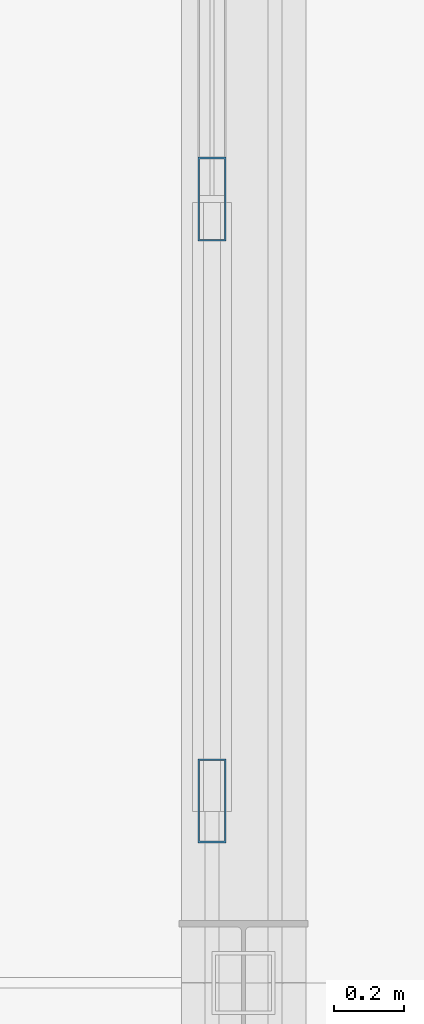
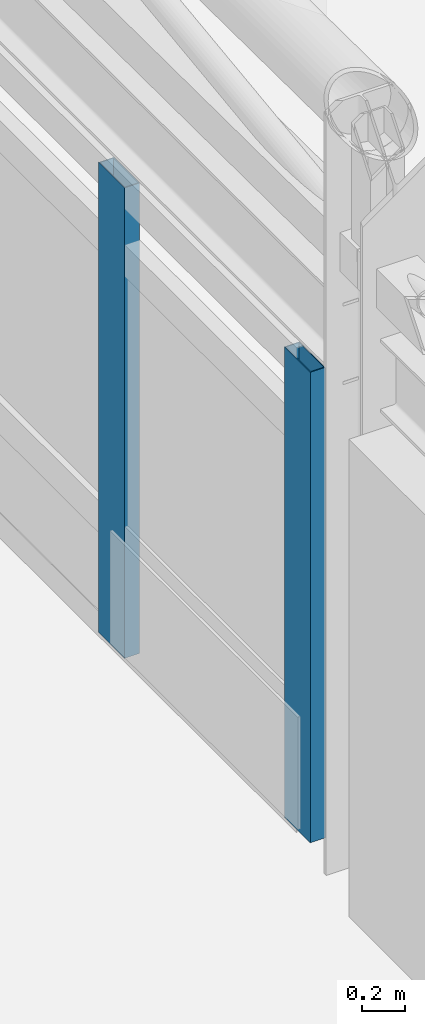
# One storey, part 49 of 168: 2 members, 1 element without a shape of its own.
"""IFC4 building model written with IfcOpenShell, lengths in metres."""

import ifcopenshell
import ifcopenshell.guid

model = None  # the IFC model being written
_history = None  # IfcOwnerHistory: only IFC2X3 demands one
_inside = {}  # id of a spatial element -> (the spatial element, [elements in it])
_under = {}  # id of a project, library or spatial element -> (it, [spatial elements below it])
_declared = {}  # id of a project -> (the project, [libraries it declares])
_typed = {}  # id of a type object -> (the type object, [elements of that type])
_made_of = {}  # id of a material, layer set ... -> (it, [elements and type objects made of it])


def new_model(schema):
    """Start an empty IFC model of exactly this schema.

    Asked for "IFC4X3", IfcOpenShell would pick the latest addendum, in which some entities
    have other attributes; the version numbers below select the first issue.
    IFC2X3 requires an IfcOwnerHistory on every rooted entity: one is made here for all.
    """
    global model, _history
    if schema == "IFC4X3":
        model = ifcopenshell.file(schema_version=(4, 3, 0, 0))
    else:
        model = ifcopenshell.file(schema=schema)
    _inside.clear()
    _under.clear()
    _declared.clear()
    _typed.clear()
    _made_of.clear()
    _history = None
    if model.schema == "IFC2X3":
        org = make("IfcOrganization", Name="unknown")
        user = make(
            "IfcPersonAndOrganization",
            ThePerson=make("IfcPerson", FamilyName="unknown"),
            TheOrganization=org,
        )
        app = make(
            "IfcApplication",
            ApplicationDeveloper=org,
            Version="unknown",
            ApplicationFullName="unknown",
            ApplicationIdentifier="unknown",
        )
        _history = make(
            "IfcOwnerHistory",
            OwningUser=user,
            OwningApplication=app,
            ChangeAction="ADDED",
            CreationDate=0,
        )
    return model


def make(cls, **values):
    """One entity of the class cls with the attributes given. An attribute that is None is left unset."""
    return model.create_entity(
        cls, **{name: value for name, value in values.items() if value is not None}
    )


def rooted(cls, **values):
    """An entity with a GlobalId (a new one), such as an element, a storey or a relation."""
    return make(cls, GlobalId=ifcopenshell.guid.new(), OwnerHistory=_history, **values)


def si_unit(unit_type, name, prefix=None):
    """IfcSIUnit, for example si_unit("LENGTHUNIT", "METRE", prefix="MILLI")."""
    return make("IfcSIUnit", UnitType=unit_type, Prefix=prefix, Name=name)


def assignment(units):
    """IfcUnitAssignment: the units of a project."""
    return None if units is None else make("IfcUnitAssignment", Units=units)


def point(xyz):
    """IfcCartesianPoint."""
    return None if xyz is None else make("IfcCartesianPoint", Coordinates=xyz)


def direction(xyz):
    """IfcDirection."""
    return None if xyz is None else make("IfcDirection", DirectionRatios=xyz)


def frame(location, z_axis=None, x_axis=None):
    """IfcAxis2Placement3D, a coordinate frame: its origin and axes. An axis left out is left unset."""
    return make(
        "IfcAxis2Placement3D",
        Location=point(location),
        Axis=direction(z_axis),
        RefDirection=direction(x_axis),
    )


def frame_2d(location, x_axis=None):
    """IfcAxis2Placement2D, a coordinate frame in the plane: its origin and x axis."""
    return make(
        "IfcAxis2Placement2D", Location=point(location), RefDirection=direction(x_axis)
    )


def origin():
    """The frame at (0, 0, 0) with its axes left unset."""
    return frame((0.0, 0.0, 0.0))


def origin_2d():
    """The frame at (0, 0) in the plane with its x axis left unset."""
    return frame_2d((0.0, 0.0))


def place(relative_to, where):
    """IfcLocalPlacement: puts the frame where relative to a parent placement (None: the world)."""
    return make(
        "IfcLocalPlacement", PlacementRelTo=relative_to, RelativePlacement=where
    )


def context(
    kind, dimensions, precision=None, world=None, true_north=None, identifier=None
):
    """IfcGeometricRepresentationContext, for example the 3D "Model" context."""
    return make(
        "IfcGeometricRepresentationContext",
        ContextIdentifier=identifier,
        ContextType=kind,
        CoordinateSpaceDimension=dimensions,
        Precision=precision,
        WorldCoordinateSystem=world,
        TrueNorth=true_north,
    )


def subcontext(parent, identifier, kind, view, scale=None):
    """IfcGeometricRepresentationSubContext, for example "Body" below "Model"."""
    return make(
        "IfcGeometricRepresentationSubContext",
        ContextIdentifier=identifier,
        ContextType=kind,
        ParentContext=parent,
        TargetScale=scale,
        TargetView=view,
    )


def project(units=None, contexts=None):
    """IfcProject with its units and contexts."""
    return rooted(
        "IfcProject",
        Name="project",
        RepresentationContexts=contexts,
        UnitsInContext=assignment(units),
    )


def spatial(cls, under=None, at=None, **own):
    """A site, building, storey or space (cls), placed at a placement, below another one or the project."""
    s = rooted(cls, ObjectPlacement=at, **own)
    if under is not None:
        _under.setdefault(under.id(), (under, []))[1].append(s)
    return s


def profile(cls, at=None, kind="AREA", **sizes):
    """A parametric profile (cls). Its sizes go by their IFC names, for example OverallWidth=200.0."""
    return make(cls, ProfileType=kind, Position=at, **sizes)


def hollow_rectangle(**sizes):
    """IfcRectangleHollowProfileDef."""
    return profile("IfcRectangleHollowProfileDef", **sizes)


def extrude(swept, where, along, depth):
    """IfcExtrudedAreaSolid: the profile swept, set in the frame where, extruded along a direction by depth."""
    return make(
        "IfcExtrudedAreaSolid",
        SweptArea=swept,
        Position=where,
        ExtrudedDirection=direction(along),
        Depth=depth,
    )


def shape(context_of_items, identifier, shape_type, items):
    """IfcShapeRepresentation: the items that make up one representation, for example the "Body"."""
    return make(
        "IfcShapeRepresentation",
        ContextOfItems=context_of_items,
        RepresentationIdentifier=identifier,
        RepresentationType=shape_type,
        Items=items,
    )


def material(Name=None, Category=None):
    """IfcMaterial."""
    return make("IfcMaterial", Name=Name, Category=Category)


def material_profile(
    of_material, cross_section, Name=None, Category=None, Priority=None
):
    """IfcMaterialProfile: a cross section and its material."""
    return make(
        "IfcMaterialProfile",
        Name=Name,
        Material=of_material,
        Profile=cross_section,
        Priority=Priority,
        Category=Category,
    )


def profile_set(profiles, Name=None, composite=None):
    """IfcMaterialProfileSet."""
    return make(
        "IfcMaterialProfileSet",
        Name=Name,
        MaterialProfiles=profiles,
        CompositeProfile=composite,
    )


def made_of(thing, what):
    """Note that an element or type object is made of a material, layer set ...; save() writes the relation."""
    if what is not None:
        _made_of.setdefault(what.id(), (what, []))[1].append(thing)
    return thing


def type_object(cls, material=None, **own):
    """A type object (cls), such as IfcWallType, which elements share."""
    return made_of(rooted(cls, **own), material)


def element(
    cls,
    number,
    at=None,
    inside=None,
    cuts=None,
    type_object=None,
    material=None,
    context=None,
    identifier="Body",
    shape_type=None,
    held_by="IfcProductDefinitionShape",
    body=None,
    shapes=None,
    **own,
):
    """One element of the class cls, such as IfcWall. Its Tag is "e" and its number.

    at: its placement. inside: the storey or other place that contains it. cuts: it is an
    opening in that element (IfcRelVoidsElement). A single representation is given by context,
    identifier, shape_type and body (its items); several are given by shapes. held_by: the class
    of the entity that holds the representations. save() writes the other relations.
    """
    e = rooted(cls, Tag="e%d" % number, ObjectPlacement=at, **own)
    if body is not None:
        shapes = [shape(context, identifier, shape_type, body)]
    if shapes is not None:
        e.Representation = make(held_by, Representations=shapes)
    if inside is not None:
        _inside.setdefault(inside.id(), (inside, []))[1].append(e)
    if cuts is not None:
        rooted(
            "IfcRelVoidsElement", RelatingBuildingElement=cuts, RelatedOpeningElement=e
        )
    if type_object is not None:
        _typed.setdefault(type_object.id(), (type_object, []))[1].append(e)
    return made_of(e, material)


def aggregate(whole, parts):
    """IfcRelAggregates: a whole, such as a stair, and the parts it consists of."""
    return rooted("IfcRelAggregates", RelatingObject=whole, RelatedObjects=parts)


def save(model, path):
    """Write the relations noted so far, then the file.

    IfcRelAggregates (storeys below a building ...), IfcRelContainedInSpatialStructure (elements
    in a storey), IfcRelDefinesByType, IfcRelAssociatesMaterial and IfcRelDeclares: one each for
    every whole, place, type object, material and project.
    """
    for whole, parts in _under.values():
        aggregate(whole, parts)
    for where, things in _inside.values():
        rooted(
            "IfcRelContainedInSpatialStructure",
            RelatedElements=things,
            RelatingStructure=where,
        )
    for kind, things in _typed.values():
        rooted("IfcRelDefinesByType", RelatedObjects=things, RelatingType=kind)
    for what, things in _made_of.values():
        rooted("IfcRelAssociatesMaterial", RelatedObjects=things, RelatingMaterial=what)
    for by, libraries in _declared.values():
        rooted("IfcRelDeclares", RelatingContext=by, RelatedDefinitions=libraries)
    model.write(path)


model = new_model("IFC4")

# Units and contexts
model_context = context("Model", 3, precision=1e-05, world=origin(), true_north=direction((0.0, 1.0)))
body_context = subcontext(model_context, "Body", "Model", "MODEL_VIEW")
ifc_project = project(units=[si_unit("LENGTHUNIT", "METRE"), si_unit("AREAUNIT", "SQUARE_METRE"), si_unit("VOLUMEUNIT", "CUBIC_METRE"), si_unit("PLANEANGLEUNIT", "RADIAN"), si_unit("MASSUNIT", "GRAM", prefix="KILO"), si_unit("THERMODYNAMICTEMPERATUREUNIT", "KELVIN"), si_unit("POWERUNIT", "WATT")], contexts=[model_context])

# Site, building, storey
site_placement = place(None, origin())
site = spatial("IfcSite", under=ifc_project, at=site_placement, CompositionType="ELEMENT")
building_placement = place(site_placement, origin())
building = spatial("IfcBuilding", under=site, at=building_placement, Name="Tepalcoro Natatorium and Aquatics Centre", CompositionType="ELEMENT")
storey_placement = place(building_placement, frame((0.0, 0.0, 10.199951171875)))
storey = spatial("IfcBuildingStorey", under=building, at=storey_placement, Name="L02", CompositionType="ELEMENT", Elevation=10.199951171875)

# Curtain wall, members
ifc_material = material(Name="Bronze-Anodised Extruded Aluminium Alloy EN AW-6063 T6", Category="aluminium")
curtain_wall_type = type_object("IfcCurtainWallType", Name="CW_V1_PLINTH", PredefinedType="USERDEFINED", material=ifc_material)
curtain_wall_placement = place(storey_placement, origin())
curtain_wall = element("IfcCurtainWall", 1, at=curtain_wall_placement, inside=storey, type_object=curtain_wall_type, Name="V1 L02 E Unitised Curtain Wall Bay 4", ObjectType="UNITISED STOREFRONT", PredefinedType="USERDEFINED")
ifc_material_profile = material_profile(ifc_material, hollow_rectangle(XDim=0.080078125, YDim=0.239990234375, WallThickness=0.0048828125, at=origin_2d()), Name="AL80X240X5")
ifc_profile_set = profile_set([ifc_material_profile], Name="Bronze-Anodised Extruded Aluminium Alloy EN AW-6063 T6")
member_type = type_object("IfcMemberType", Name="CW_MUL_80x240", PredefinedType="MULLION", material=ifc_profile_set)
member_1_placement = place(storey_placement, frame((124.909912109375, 36.52001953125, 0.02001953125), z_axis=(0.0, 0.0, 1.0), x_axis=(1.0, 0.0, 0.0)))
member_1 = element("IfcMember", 2, at=member_1_placement, type_object=member_type, Name="CW_V1_PLINTH Curtain Wall Mullion", PredefinedType="MULLION", context=body_context, shape_type="SweptSolid", body=[
    extrude(hollow_rectangle(XDim=0.080078125, YDim=0.239990234375, WallThickness=0.0048828125, at=origin_2d()), origin(), (0.0, 0.0, 1.0), 2.659912109375),
])
member_2_placement = place(storey_placement, frame((124.909912109375, 38.239990234375, 0.02001953125), z_axis=(0.0, 0.0, 1.0), x_axis=(1.0, 0.0, 0.0)))
member_2 = element("IfcMember", 3, at=member_2_placement, type_object=member_type, Name="CW_V1_PLINTH Curtain Wall Mullion", PredefinedType="MULLION", context=body_context, shape_type="SweptSolid", body=[
    extrude(hollow_rectangle(XDim=0.080078125, YDim=0.239990234375, WallThickness=0.0048828125, at=origin_2d()), origin(), (0.0, 0.0, 1.0), 2.659912109375),
])
aggregate(curtain_wall, [member_1, member_2])

save(model, "model.ifc")
